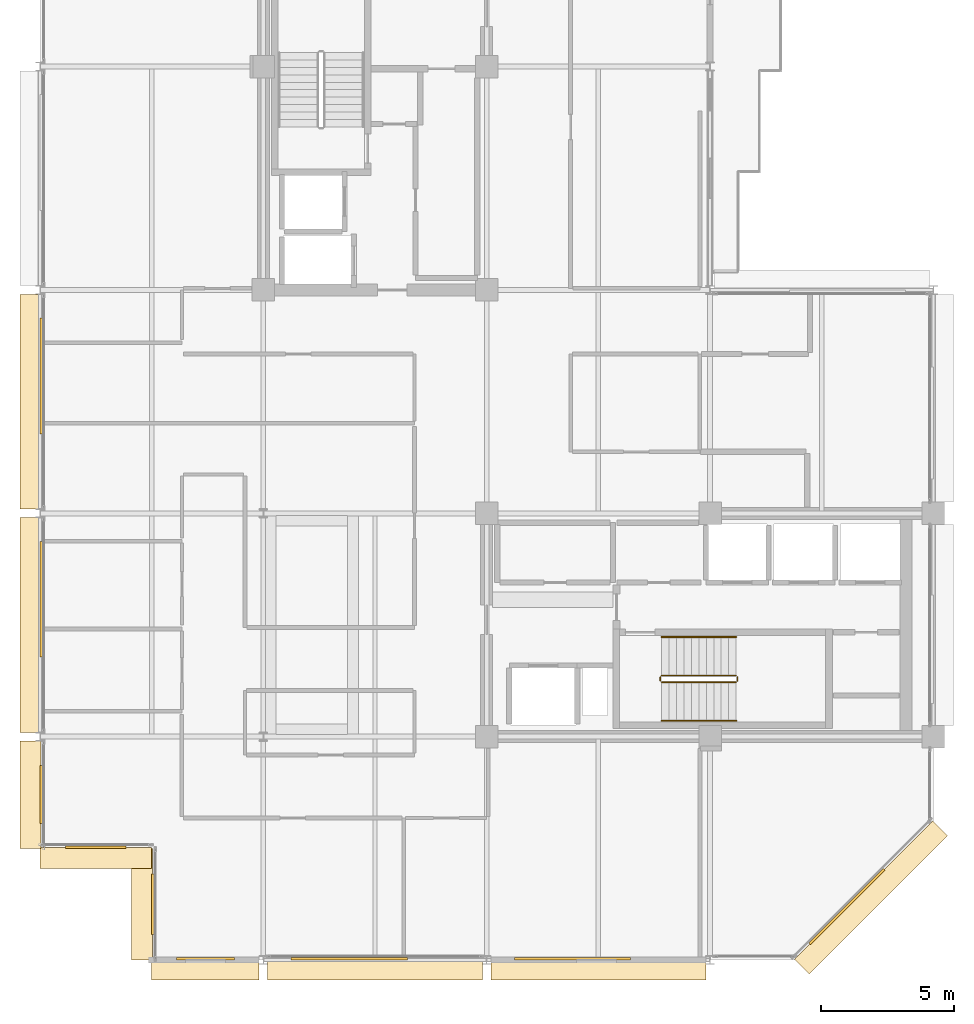
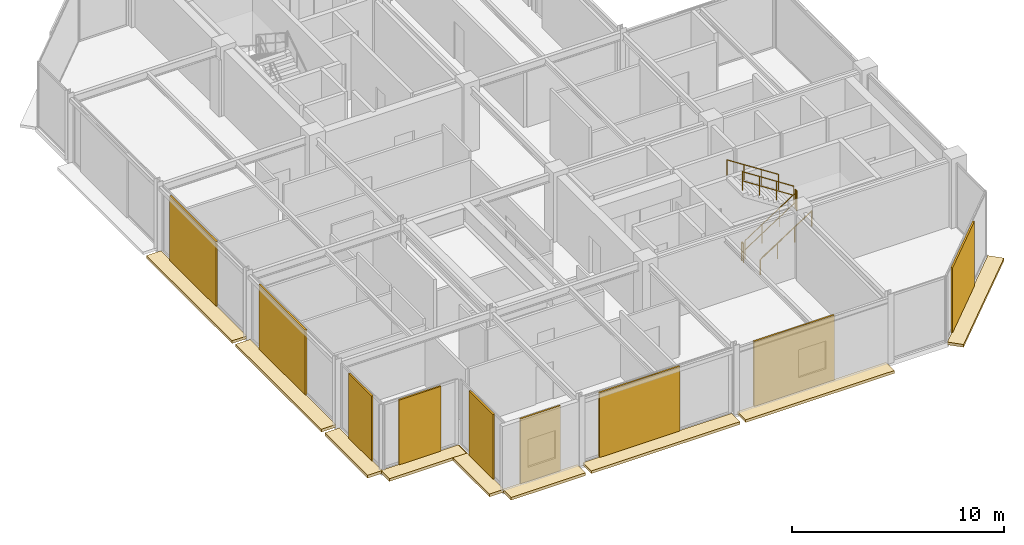
# One storey, part 23 of 25: 18 coverings, 6 railings.
"""IFC4 building model written with IfcOpenShell, lengths in metres."""

from ifc_helpers import new_model, si_unit, direction, frame, origin, origin_2d, place, context, subcontext, project, spatial, polyline, rectangle, circle, outline, extrude, material, layer, layer_set, type_object, element, save


model = new_model("IFC4")

# Units and contexts
model_context = context("Model", 3, precision=1e-05, world=origin(), true_north=direction((0.0, 1.0)))
body_context = subcontext(model_context, "Body", "Model", "MODEL_VIEW")
ifc_project = project(units=[si_unit("LENGTHUNIT", "METRE"), si_unit("AREAUNIT", "SQUARE_METRE"), si_unit("VOLUMEUNIT", "CUBIC_METRE"), si_unit("PLANEANGLEUNIT", "RADIAN"), si_unit("MASSUNIT", "GRAM", prefix="KILO")], contexts=[model_context])

# Site, building, storey
site_placement = place(None, origin())
site = spatial("IfcSite", under=ifc_project, at=site_placement, CompositionType="ELEMENT")
building_placement = place(site_placement, origin())
building = spatial("IfcBuilding", under=site, at=building_placement, Name="Nerrivon Quay Data Exchange", CompositionType="ELEMENT")
storey_placement = place(building_placement, frame((0.0, 0.0, 314.199951171875)))
storey = spatial("IfcBuildingStorey", under=building, at=storey_placement, Name="L75", CompositionType="ELEMENT", Elevation=314.199951171875)

# Coverings
ifc_material_1 = material(Name="Architectural terracotta ceramic", Category="masonry")
ifc_layer_1 = layer(ifc_material_1, 0.159912109375)
ifc_layer_set_1 = layer_set([ifc_layer_1], Name="Architectural terracotta ceramic")
covering_type_1 = type_object("IfcCoveringType", Name="COV-BLD-TERR", PredefinedType="CLADDING", material=ifc_layer_set_1)
covering_1_placement = place(storey_placement, frame((0.0, 0.0, -0.159912109375)))
element("IfcCovering", 1, at=covering_1_placement, inside=storey, type_object=covering_type_1, Name="L75 Horizontal Terracotta SOLAR SCREEN Blade", PredefinedType="CLADDING", context=body_context, shape_type="SweptSolid", body=[
    extrude(outline(polyline([(33.57177734375, 5.228271484375), (28.37158203125, 0.0283203125), (28.930419921875, -0.5302734375), (34.13037109375, 4.669677734375), (33.57177734375, 5.228271484375)])), origin(), (0.0, 0.0, 1.0), 0.159912109375),
])
covering_2_placement = place(storey_placement, frame((0.0, 0.0, -0.159912109375)))
element("IfcCovering", 2, at=covering_2_placement, inside=storey, type_object=covering_type_1, Name="L75 Horizontal Terracotta SOLAR SCREEN Blade", PredefinedType="CLADDING", context=body_context, shape_type="SweptSolid", body=[
    extrude(outline(polyline([(25.04443359375, 0.0400390625), (16.95556640625, 0.0400390625), (16.95556640625, -0.75), (25.04443359375, -0.75), (25.04443359375, 0.0400390625)])), origin(), (0.0, 0.0, 1.0), 0.159912109375),
])
covering_3_placement = place(storey_placement, frame((0.0, 0.0, -0.159912109375)))
element("IfcCovering", 3, at=covering_3_placement, inside=storey, type_object=covering_type_1, Name="L75 Horizontal Terracotta SOLAR SCREEN Blade", PredefinedType="CLADDING", context=body_context, shape_type="SweptSolid", body=[
    extrude(outline(polyline([(16.64453125, 0.0400390625), (8.555419921875, 0.0400390625), (8.555419921875, -0.75), (16.64453125, -0.75), (16.64453125, 0.0400390625)])), origin(), (0.0, 0.0, 1.0), 0.159912109375),
])
covering_4_placement = place(storey_placement, frame((0.0, 0.0, -0.159912109375)))
element("IfcCovering", 4, at=covering_4_placement, inside=storey, type_object=covering_type_1, Name="L75 Horizontal Terracotta SOLAR SCREEN Blade", PredefinedType="CLADDING", context=body_context, shape_type="SweptSolid", body=[
    extrude(outline(polyline([(8.244384765625, 0.0400390625), (4.199951171875, 0.0400390625), (4.199951171875, -0.75), (8.244384765625, -0.75), (8.244384765625, 0.0400390625)])), origin(), (0.0, 0.0, 1.0), 0.159912109375),
])
covering_5_placement = place(storey_placement, frame((0.0, 0.0, -0.159912109375)))
element("IfcCovering", 5, at=covering_5_placement, inside=storey, type_object=covering_type_1, Name="L75 Horizontal Terracotta SOLAR SCREEN Blade", PredefinedType="CLADDING", context=body_context, shape_type="SweptSolid", body=[
    extrude(outline(polyline([(4.239990234375, 0.0), (4.239990234375, 4.199951171875), (3.449951171875, 4.199951171875), (3.449951171875, 0.0), (4.239990234375, 0.0)])), origin(), (0.0, 0.0, 1.0), 0.159912109375),
])
covering_6_placement = place(storey_placement, frame((0.0, 0.0, -0.159912109375)))
element("IfcCovering", 6, at=covering_6_placement, inside=storey, type_object=covering_type_1, Name="L75 Horizontal Terracotta SOLAR SCREEN Blade", PredefinedType="CLADDING", context=body_context, shape_type="SweptSolid", body=[
    extrude(outline(polyline([(4.199951171875, 4.239990234375), (0.0, 4.239990234375), (0.0, 3.449951171875), (4.199951171875, 3.449951171875), (4.199951171875, 4.239990234375)])), origin(), (0.0, 0.0, 1.0), 0.159912109375),
])
covering_7_placement = place(storey_placement, frame((0.0, 0.0, -0.159912109375)))
element("IfcCovering", 7, at=covering_7_placement, inside=storey, type_object=covering_type_1, Name="L75 Horizontal Terracotta SOLAR SCREEN Blade", PredefinedType="CLADDING", context=body_context, shape_type="SweptSolid", body=[
    extrude(outline(polyline([(0.0400390625, 4.199951171875), (0.0400390625, 8.236572265625), (-0.75, 8.236572265625), (-0.75, 4.199951171875), (0.0400390625, 4.199951171875)])), origin(), (0.0, 0.0, 1.0), 0.159912109375),
])
covering_8_placement = place(storey_placement, frame((0.0, 0.0, -0.159912109375)))
element("IfcCovering", 8, at=covering_8_placement, inside=storey, type_object=covering_type_1, Name="L75 Horizontal Terracotta SOLAR SCREEN Blade", PredefinedType="CLADDING", context=body_context, shape_type="SweptSolid", body=[
    extrude(outline(polyline([(0.0400390625, 8.5634765625), (0.0400390625, 16.636474609375), (-0.75, 16.636474609375), (-0.75, 8.5634765625), (0.0400390625, 8.5634765625)])), origin(), (0.0, 0.0, 1.0), 0.159912109375),
])
covering_9_placement = place(storey_placement, frame((0.0, 0.0, -0.159912109375)))
element("IfcCovering", 9, at=covering_9_placement, inside=storey, type_object=covering_type_1, Name="L75 Horizontal Terracotta SOLAR SCREEN Blade", PredefinedType="CLADDING", context=body_context, shape_type="SweptSolid", body=[
    extrude(outline(polyline([(0.0400390625, 16.96337890625), (0.0400390625, 25.03662109375), (-0.75, 25.03662109375), (-0.75, 16.96337890625), (0.0400390625, 16.96337890625)])), origin(), (0.0, 0.0, 1.0), 0.159912109375),
])
ifc_layer_2 = layer(ifc_material_1, 0.090087890625)
ifc_layer_set_2 = layer_set([ifc_layer_2], Name="Architectural terracotta ceramic")
covering_type_2 = type_object("IfcCoveringType", Name="COV-SCR-TERR", PredefinedType="CLADDING", material=ifc_layer_set_2)
covering_10_placement = place(storey_placement, frame((30.34423828125, 2.0078125, 0.0), z_axis=(0.0, 0.0, 1.0), x_axis=(-0.707106781187, -0.707106781187, 0.0)))
element("IfcCovering", 10, at=covering_10_placement, inside=storey, type_object=covering_type_2, Name="L75 Perforated Terracotta SOLAR SCREEN Cassette", PredefinedType="CLADDING", context=body_context, shape_type="SweptSolid", body=[
    extrude(rectangle(XDim=3.970947265625, YDim=0.090087890625, at=origin_2d()), origin(), (0.0, 0.0, 1.0), 3.72509765625),
])
for number, where, z_axis, x_axis, name in (
    (11, (20.029296875, 0.044921875, 0.0), (0.0, 0.0, 1.0), (-1.0, 0.0, 0.0), "L75 Perforated Terracotta SOLAR SCREEN Cassette"),
    (12, (11.62939453125, 0.044921875, 0.0), (0.0, 0.0, 1.0), (-1.0, 0.0, 0.0), "L75 Perforated Terracotta SOLAR SCREEN Cassette"),
):
    element("IfcCovering", number, at=place(storey_placement, frame(where, z_axis=z_axis, x_axis=x_axis)), inside=storey, type_object=covering_type_2, Name=name, PredefinedType="CLADDING", context=body_context, shape_type="SweptSolid", body=[
        extrude(rectangle(XDim=4.367919921875, YDim=0.090087890625, at=origin_2d()), origin(), (0.0, 0.0, 1.0), 3.72509765625),
    ])
covering_11_placement = place(storey_placement, frame((6.222412109375, 0.044921875, 0.0), z_axis=(0.0, 0.0, 1.0), x_axis=(-1.0, 0.0, 0.0)))
element("IfcCovering", 13, at=covering_11_placement, inside=storey, type_object=covering_type_2, Name="L75 Perforated Terracotta SOLAR SCREEN Cassette", PredefinedType="CLADDING", context=body_context, shape_type="SweptSolid", body=[
    extrude(rectangle(XDim=2.18408203125, YDim=0.090087890625, at=origin_2d()), origin(), (0.0, 0.0, 1.0), 3.72509765625),
])
for number, where, z_axis, x_axis, name in (
    (14, (4.2451171875, 2.10009765625, 0.0), (0.0, 0.0, 1.0), (0.0, 1.0, 0.0), "L75 Perforated Terracotta SOLAR SCREEN Cassette"),
    (15, (2.10009765625, 4.2451171875, 0.0), (0.0, 0.0, 1.0), (-1.0, 0.0, 0.0), "L75 Perforated Terracotta SOLAR SCREEN Cassette"),
):
    element("IfcCovering", number, at=place(storey_placement, frame(where, z_axis=z_axis, x_axis=x_axis)), inside=storey, type_object=covering_type_2, Name=name, PredefinedType="CLADDING", context=body_context, shape_type="SweptSolid", body=[
        extrude(rectangle(XDim=2.26806640625, YDim=0.090087890625, at=origin_2d()), origin(), (0.0, 0.0, 1.0), 3.72509765625),
    ])
covering_12_placement = place(storey_placement, frame((0.044921875, 6.21826171875, 0.0), z_axis=(0.0, 0.0, 1.0), x_axis=(0.0, 1.0, 0.0)))
element("IfcCovering", 16, at=covering_12_placement, inside=storey, type_object=covering_type_2, Name="L75 Perforated Terracotta SOLAR SCREEN Cassette", PredefinedType="CLADDING", context=body_context, shape_type="SweptSolid", body=[
    extrude(rectangle(XDim=2.179931640625, YDim=0.090087890625, at=origin_2d()), origin(), (0.0, 0.0, 1.0), 3.72509765625),
])
for number, where, z_axis, x_axis, name in (
    (17, (0.044921875, 13.56884765625, 0.0), (0.0, 0.0, 1.0), (0.0, 1.0, 0.0), "L75 Perforated Terracotta SOLAR SCREEN Cassette"),
    (18, (0.044921875, 21.96875, 0.0), (0.0, 0.0, 1.0), (0.0, 1.0, 0.0), "L75 Perforated Terracotta SOLAR SCREEN Cassette"),
):
    element("IfcCovering", number, at=place(storey_placement, frame(where, z_axis=z_axis, x_axis=x_axis)), inside=storey, type_object=covering_type_2, Name=name, PredefinedType="CLADDING", context=body_context, shape_type="SweptSolid", body=[
        extrude(rectangle(XDim=4.35888671875, YDim=0.090087890625, at=origin_2d()), origin(), (0.0, 0.0, 1.0), 3.72509765625),
    ])

# Railings
ifc_material_2 = material(Name="Steel Grade C350L0 (350 MPa)", Category="steel")
railing_type_1 = type_object("IfcRailingType", Name="RAIL-HAND-HR1", PredefinedType="HANDRAIL", material=ifc_material_2)
railing_1_placement = place(storey_placement, frame((23.3798828125, 9.0, 0.181884765625)))
element("IfcRailing", 19, at=railing_1_placement, inside=storey, type_object=railing_type_1, Name="L75 ST02 stair handrail 1", PredefinedType="HANDRAIL", context=body_context, shape_type="SweptSolid", body=[
    extrude(circle(Radius=0.02392578125, at=origin_2d()), frame((0.0, 0.0, 0.8759765625), z_axis=(0.838705829183, 0.0, 0.544584733623), x_axis=(0.0, 1.0, 0.0)), (0.0, 0.0, 1.0), 3.338623046875),
    extrude(circle(Radius=0.02099609375, at=origin_2d()), origin(), (0.0, 0.0, 1.0), 0.851806640625),
    extrude(circle(Radius=0.02099609375, at=origin_2d()), frame((0.933349609375, 0.0, 0.60595703125)), (0.0, 0.0, 1.0), 0.851806640625),
    extrude(circle(Radius=0.02099609375, at=origin_2d()), frame((1.86669921875, 0.0, 1.212158203125)), (0.0, 0.0, 1.0), 0.851806640625),
    extrude(circle(Radius=0.02099609375, at=origin_2d()), frame((2.800048828125, 0.0, 1.818115234375)), (0.0, 0.0, 1.0), 0.851806640625),
])
railing_2_placement = place(storey_placement, frame((26.179931640625, 12.14990234375, 2.181884765625)))
element("IfcRailing", 20, at=railing_2_placement, inside=storey, type_object=railing_type_1, Name="L75 ST02 stair handrail 2", PredefinedType="HANDRAIL", context=body_context, shape_type="SweptSolid", body=[
    extrude(circle(Radius=0.02392578125, at=origin_2d()), frame((0.0, 0.0, 0.8759765625), z_axis=(-0.838705829183, 0.0, 0.544584733623), x_axis=(0.0, -1.0, 0.0)), (0.0, 0.0, 1.0), 3.338623046875),
    extrude(circle(Radius=0.02099609375, at=origin_2d()), origin(), (0.0, 0.0, 1.0), 0.851806640625),
    extrude(circle(Radius=0.02099609375, at=origin_2d()), frame((-0.933349609375, 0.0, 0.60595703125)), (0.0, 0.0, 1.0), 0.851806640625),
    extrude(circle(Radius=0.02099609375, at=origin_2d()), frame((-1.86669921875, 0.0, 1.212158203125)), (0.0, 0.0, 1.0), 0.851806640625),
    extrude(circle(Radius=0.02099609375, at=origin_2d()), frame((-2.800048828125, 0.0, 1.818115234375)), (0.0, 0.0, 1.0), 0.851806640625),
])
railing_type_2 = type_object("IfcRailingType", Name="RAIL-STAIR-GR1", PredefinedType="BALUSTRADE", material=ifc_material_2)
railing_3_placement = place(storey_placement, frame((23.3798828125, 10.449951171875, 0.181884765625)))
element("IfcRailing", 21, at=railing_3_placement, inside=storey, type_object=railing_type_2, Name="L75 ST02 stair guard 1", PredefinedType="BALUSTRADE", context=body_context, shape_type="SweptSolid", body=[
    extrude(circle(Radius=0.02392578125, at=origin_2d()), frame((0.0, 0.0, 1.076171875), z_axis=(0.838705829183, 0.0, 0.544584733623), x_axis=(0.0, 1.0, 0.0)), (0.0, 0.0, 1.0), 3.338623046875),
    extrude(circle(Radius=0.02392578125, at=origin_2d()), frame((0.0, 0.0, 0.550048828125), z_axis=(0.838705829183, 0.0, 0.544584733623), x_axis=(0.0, 1.0, 0.0)), (0.0, 0.0, 1.0), 3.338623046875),
    extrude(circle(Radius=0.02099609375, at=origin_2d()), origin(), (0.0, 0.0, 1.0), 1.052001953125),
    extrude(circle(Radius=0.02099609375, at=origin_2d()), frame((0.933349609375, 0.0, 0.60595703125)), (0.0, 0.0, 1.0), 1.052001953125),
    extrude(circle(Radius=0.02099609375, at=origin_2d()), frame((1.86669921875, 0.0, 1.212158203125)), (0.0, 0.0, 1.0), 1.052001953125),
    extrude(circle(Radius=0.02099609375, at=origin_2d()), frame((2.800048828125, 0.0, 1.818115234375)), (0.0, 0.0, 1.0), 1.052001953125),
])
railing_4_placement = place(storey_placement, frame((26.22998046875, 10.5, 2.0)))
element("IfcRailing", 22, at=railing_4_placement, inside=storey, type_object=railing_type_2, Name="L75 ST02 stair guard 2", PredefinedType="BALUSTRADE", context=body_context, shape_type="SweptSolid", body=[
    extrude(circle(Radius=0.02392578125, at=origin_2d()), frame((0.0, 0.0, 1.076171875), z_axis=(0.0, 1.0, 0.0), x_axis=(-1.0, 0.0, 0.0)), (0.0, 0.0, 1.0), 0.14990234375),
    extrude(circle(Radius=0.02392578125, at=origin_2d()), frame((0.0, 0.0, 0.550048828125), z_axis=(0.0, 1.0, 0.0), x_axis=(-1.0, 0.0, 0.0)), (0.0, 0.0, 1.0), 0.14990234375),
    extrude(circle(Radius=0.02099609375, at=origin_2d()), origin(), (0.0, 0.0, 1.0), 1.052001953125),
    extrude(circle(Radius=0.02099609375, at=origin_2d()), frame((0.0, 0.14990234375, 0.0)), (0.0, 0.0, 1.0), 1.052001953125),
])
railing_5_placement = place(storey_placement, frame((26.179931640625, 10.699951171875, 2.181884765625)))
element("IfcRailing", 23, at=railing_5_placement, inside=storey, type_object=railing_type_2, Name="L75 ST02 stair guard 3", PredefinedType="BALUSTRADE", context=body_context, shape_type="SweptSolid", body=[
    extrude(circle(Radius=0.02392578125, at=origin_2d()), frame((0.0, 0.0, 1.076171875), z_axis=(-0.838705829183, 0.0, 0.544584733623), x_axis=(0.0, -1.0, 0.0)), (0.0, 0.0, 1.0), 3.338623046875),
    extrude(circle(Radius=0.02392578125, at=origin_2d()), frame((0.0, 0.0, 0.550048828125), z_axis=(-0.838705829183, 0.0, 0.544584733623), x_axis=(0.0, -1.0, 0.0)), (0.0, 0.0, 1.0), 3.338623046875),
    extrude(circle(Radius=0.02099609375, at=origin_2d()), origin(), (0.0, 0.0, 1.0), 1.052001953125),
    extrude(circle(Radius=0.02099609375, at=origin_2d()), frame((-0.933349609375, 0.0, 0.60595703125)), (0.0, 0.0, 1.0), 1.052001953125),
    extrude(circle(Radius=0.02099609375, at=origin_2d()), frame((-1.86669921875, 0.0, 1.212158203125)), (0.0, 0.0, 1.0), 1.052001953125),
    extrude(circle(Radius=0.02099609375, at=origin_2d()), frame((-2.800048828125, 0.0, 1.818115234375)), (0.0, 0.0, 1.0), 1.052001953125),
])
railing_6_placement = place(storey_placement, frame((23.330078125, 10.5, 0.0)))
element("IfcRailing", 24, at=railing_6_placement, inside=storey, type_object=railing_type_2, Name="L75 ST02 stair guard 4", PredefinedType="BALUSTRADE", context=body_context, shape_type="SweptSolid", body=[
    extrude(circle(Radius=0.02392578125, at=origin_2d()), frame((0.0, 0.0, 1.076171875), z_axis=(0.0, 1.0, 0.0), x_axis=(-1.0, 0.0, 0.0)), (0.0, 0.0, 1.0), 0.14990234375),
    extrude(circle(Radius=0.02392578125, at=origin_2d()), frame((0.0, 0.0, 0.550048828125), z_axis=(0.0, 1.0, 0.0), x_axis=(-1.0, 0.0, 0.0)), (0.0, 0.0, 1.0), 0.14990234375),
    extrude(circle(Radius=0.02099609375, at=origin_2d()), origin(), (0.0, 0.0, 1.0), 1.052001953125),
    extrude(circle(Radius=0.02099609375, at=origin_2d()), frame((0.0, 0.14990234375, 0.0)), (0.0, 0.0, 1.0), 1.052001953125),
])

save(model, "model.ifc")
